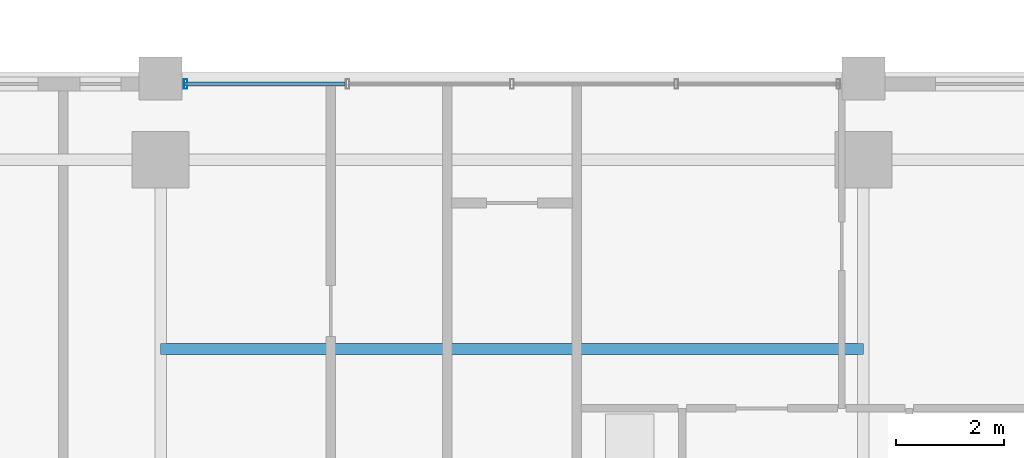
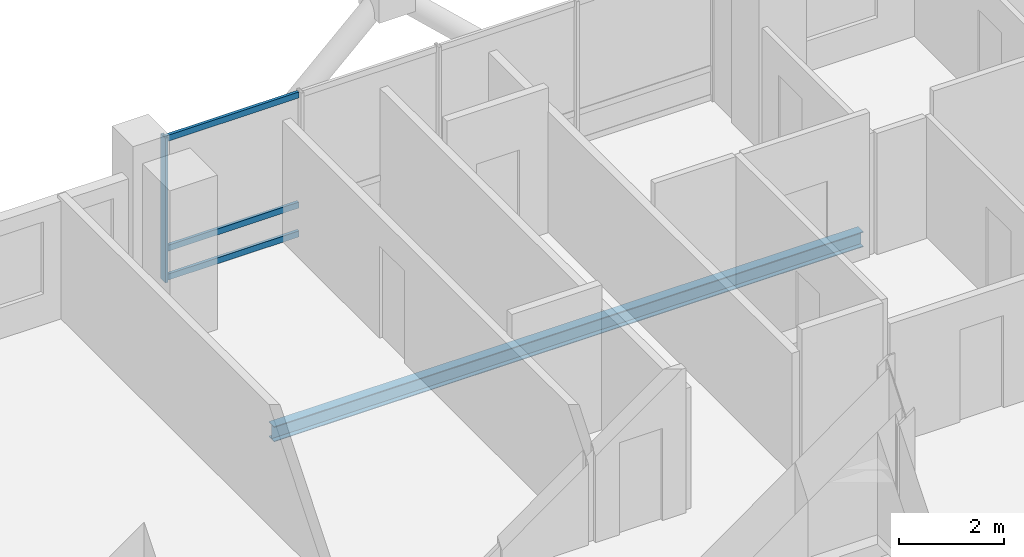
# One storey, part 13 of 24: 4 members, 1 beam, 1 element without a shape of its own.
"""IFC4 building model written with IfcOpenShell, lengths in metres."""

from ifc_helpers import new_model, si_unit, direction, frame, origin, origin_2d, place, context, subcontext, project, spatial, hollow_rectangle, i_section, extrude, material, layer, layer_set, material_profile, profile_set, type_object, element, aggregate, save


model = new_model("IFC4")

# Units and contexts
model_context = context("Model", 3, precision=1e-05, world=origin(), true_north=direction((0.0, 1.0)))
body_context = subcontext(model_context, "Body", "Model", "MODEL_VIEW")
ifc_project = project(units=[si_unit("LENGTHUNIT", "METRE"), si_unit("AREAUNIT", "SQUARE_METRE"), si_unit("VOLUMEUNIT", "CUBIC_METRE"), si_unit("PLANEANGLEUNIT", "RADIAN"), si_unit("MASSUNIT", "GRAM", prefix="KILO")], contexts=[model_context])

# Site, building, storey
site_placement = place(None, origin())
site = spatial("IfcSite", under=ifc_project, at=site_placement, CompositionType="ELEMENT")
building_placement = place(site_placement, origin())
building = spatial("IfcBuilding", under=site, at=building_placement, Name="Barlavira Tower and Art Museum", CompositionType="ELEMENT")
storey_placement = place(building_placement, frame((0.0, 0.0, 172.800048828125)))
storey = spatial("IfcBuildingStorey", under=building, at=storey_placement, Name="L44", CompositionType="ELEMENT", Elevation=172.800048828125)

# Curtain wall, members
ifc_material_1 = material(Name="Low-iron coastal laminated glass", Category="glass")
ifc_layer = layer(ifc_material_1, 0.199951171875, Name="Low-iron coastal laminated glass")
ifc_layer_set = layer_set([ifc_layer], Name="Low-iron coastal laminated glass")
curtain_wall_type = type_object("IfcCurtainWallType", Name="Pale-Metal Unitised Curtain Wall Zone 3", PredefinedType="NOTDEFINED", material=ifc_layer_set)
curtain_wall_placement = place(storey_placement, origin())
curtain_wall = element("IfcCurtainWall", 1, at=curtain_wall_placement, inside=storey, type_object=curtain_wall_type, Name="L44 Curtain Wall CW3-L44-N-B3", PredefinedType="NOTDEFINED")
ifc_material_2 = material(Name="Pale anodised aluminium", Category="aluminium")
ifc_material_profile_1 = material_profile(ifc_material_2, hollow_rectangle(XDim=0.06494140625, YDim=0.179931640625, WallThickness=0.00390625, at=origin_2d()), Name="ALU-MULL 65x180x4")
ifc_profile_set_1 = profile_set([ifc_material_profile_1], Name="Pale anodised aluminium")
member_type_1 = type_object("IfcMemberType", Name="Curtain Wall Pale-Metal Mullion 65x180", PredefinedType="MULLION", material=ifc_profile_set_1)
member_1_placement = place(storey_placement, frame((-6.034912109375, 21.39990234375, 0.0), z_axis=(0.0, 0.0, 1.0), x_axis=(-1.0, 0.0, 0.0)))
member_1 = element("IfcMember", 2, at=member_1_placement, type_object=member_type_1, Name="CW3-L44-N-B3 Mullion 4", PredefinedType="MULLION", context=body_context, shape_type="SweptSolid", body=[
    extrude(hollow_rectangle(XDim=0.06494140625, YDim=0.179931640625, WallThickness=0.00390625, at=origin_2d()), origin(), (0.0, 0.0, 1.0), 3.3798828125),
])
ifc_material_profile_2 = material_profile(ifc_material_2, hollow_rectangle(XDim=0.06494140625, YDim=0.139892578125, WallThickness=0.00390625, at=origin_2d()), Name="ALU-TRAN 65x140x4")
ifc_profile_set_2 = profile_set([ifc_material_profile_2], Name="Pale anodised aluminium")
member_type_2 = type_object("IfcMemberType", Name="Curtain Wall Pale-Metal Transom 65x140", PredefinedType="USERDEFINED", material=ifc_profile_set_2)
member_2_placement = place(storey_placement, frame((-3.0849609375, 21.39990234375, 0.070068359375), z_axis=(-1.0, 0.0, 0.0), x_axis=(0.0, -1.0, 0.0)))
member_2 = element("IfcMember", 3, at=member_2_placement, type_object=member_type_2, Name="CW3-L44-N-B3 Transom 3.1", ObjectType="TRANSOM", PredefinedType="USERDEFINED", context=body_context, shape_type="SweptSolid", body=[
    extrude(hollow_rectangle(XDim=0.06494140625, YDim=0.139892578125, WallThickness=0.00390625, at=origin_2d()), origin(), (0.0, 0.0, 1.0), 2.949951171875),
])
member_3_placement = place(storey_placement, frame((-3.0849609375, 21.39990234375, 0.743896484375), z_axis=(-1.0, 0.0, 0.0), x_axis=(0.0, -1.0, 0.0)))
member_3 = element("IfcMember", 4, at=member_3_placement, type_object=member_type_2, Name="CW3-L44-N-B3 Transom 3.2", ObjectType="TRANSOM", PredefinedType="USERDEFINED", context=body_context, shape_type="SweptSolid", body=[
    extrude(hollow_rectangle(XDim=0.06494140625, YDim=0.139892578125, WallThickness=0.00390625, at=origin_2d()), origin(), (0.0, 0.0, 1.0), 2.949951171875),
])
member_4_placement = place(storey_placement, frame((-3.0849609375, 21.39990234375, 3.31005859375), z_axis=(-1.0, 0.0, 0.0), x_axis=(0.0, -1.0, 0.0)))
member_4 = element("IfcMember", 5, at=member_4_placement, type_object=member_type_2, Name="CW3-L44-N-B3 Transom 3.3", ObjectType="TRANSOM", PredefinedType="USERDEFINED", context=body_context, shape_type="SweptSolid", body=[
    extrude(hollow_rectangle(XDim=0.06494140625, YDim=0.139892578125, WallThickness=0.00390625, at=origin_2d()), origin(), (0.0, 0.0, 1.0), 2.949951171875),
])
aggregate(curtain_wall, [member_1, member_2, member_3, member_4])

# Beam
ifc_material_3 = material(Name="Steel S355", Category="steel")
ifc_material_profile_3 = material_profile(ifc_material_3, i_section(OverallWidth=0.205078125, OverallDepth=0.35400390625, WebThickness=0.009521484375, FlangeThickness=0.016845703125, at=origin_2d()), Name="W360x79.0")
ifc_profile_set_3 = profile_set([ifc_material_profile_3], Name="Steel S355")
beam_type = type_object("IfcBeamType", Name="Zone 3 Composite Floor Joist W360x79 Steel S355", PredefinedType="JOIST", material=ifc_profile_set_3)
beam_placement = place(storey_placement, frame((-6.5, 16.5, -0.39697265625), z_axis=(1.0, 0.0, 0.0), x_axis=(0.0, 1.0, 0.0)))
element("IfcBeam", 6, at=beam_placement, inside=storey, type_object=beam_type, Name="L44 Joist C2", PredefinedType="JOIST", context=body_context, shape_type="SweptSolid", body=[
    extrude(i_section(OverallWidth=0.205078125, OverallDepth=0.35400390625, WebThickness=0.009521484375, FlangeThickness=0.016845703125, at=origin_2d()), origin(), (0.0, 0.0, 1.0), 13.0),
])

save(model, "model.ifc")
